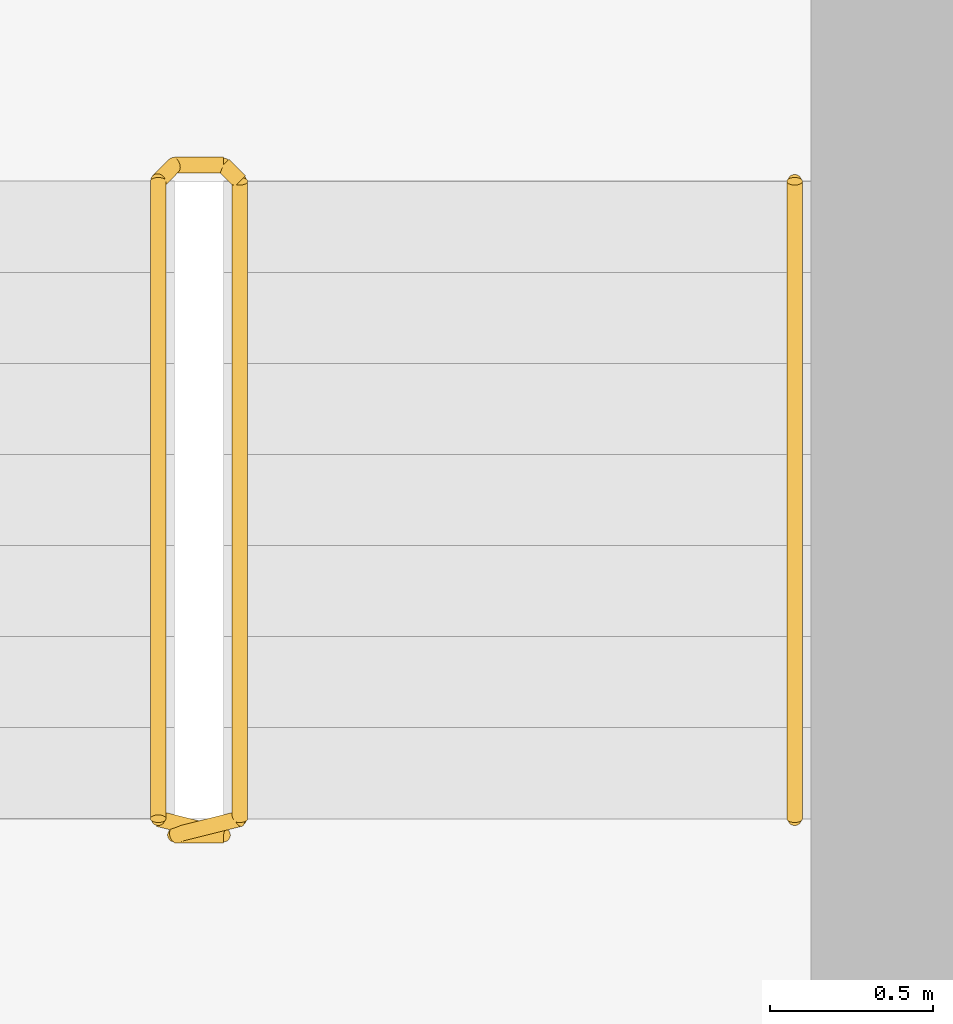
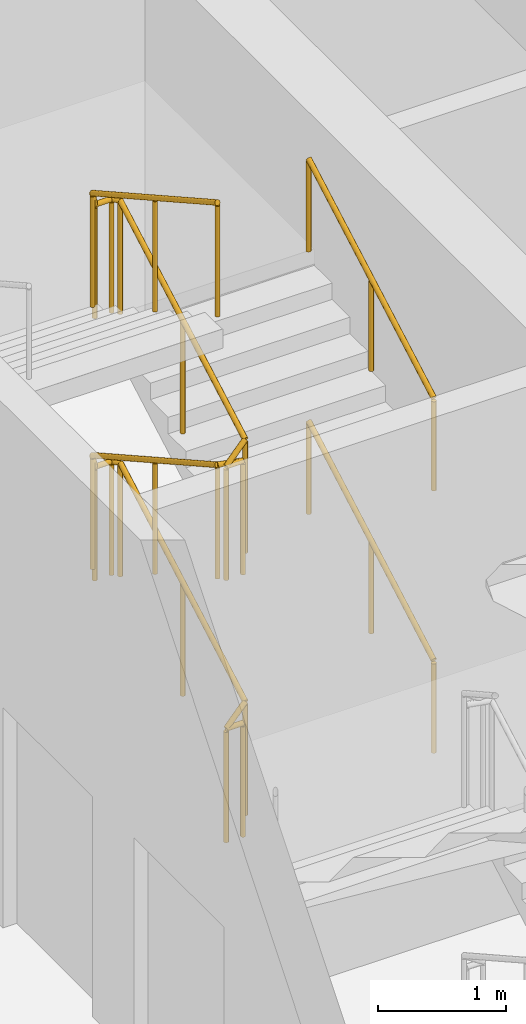
# One storey, part 20 of 20: 3 railings.
"""IFC4 building model written with IfcOpenShell, lengths in metres."""

import ifcopenshell
import ifcopenshell.guid

model = None  # the IFC model being written
_history = None  # IfcOwnerHistory: only IFC2X3 demands one
_inside = {}  # id of a spatial element -> (the spatial element, [elements in it])
_under = {}  # id of a project, library or spatial element -> (it, [spatial elements below it])
_declared = {}  # id of a project -> (the project, [libraries it declares])
_typed = {}  # id of a type object -> (the type object, [elements of that type])
_made_of = {}  # id of a material, layer set ... -> (it, [elements and type objects made of it])


def new_model(schema):
    """Start an empty IFC model of exactly this schema.

    Asked for "IFC4X3", IfcOpenShell would pick the latest addendum, in which some entities
    have other attributes; the version numbers below select the first issue.
    IFC2X3 requires an IfcOwnerHistory on every rooted entity: one is made here for all.
    """
    global model, _history
    if schema == "IFC4X3":
        model = ifcopenshell.file(schema_version=(4, 3, 0, 0))
    else:
        model = ifcopenshell.file(schema=schema)
    _inside.clear()
    _under.clear()
    _declared.clear()
    _typed.clear()
    _made_of.clear()
    _history = None
    if model.schema == "IFC2X3":
        org = make("IfcOrganization", Name="unknown")
        user = make(
            "IfcPersonAndOrganization",
            ThePerson=make("IfcPerson", FamilyName="unknown"),
            TheOrganization=org,
        )
        app = make(
            "IfcApplication",
            ApplicationDeveloper=org,
            Version="unknown",
            ApplicationFullName="unknown",
            ApplicationIdentifier="unknown",
        )
        _history = make(
            "IfcOwnerHistory",
            OwningUser=user,
            OwningApplication=app,
            ChangeAction="ADDED",
            CreationDate=0,
        )
    return model


def make(cls, **values):
    """One entity of the class cls with the attributes given. An attribute that is None is left unset."""
    return model.create_entity(
        cls, **{name: value for name, value in values.items() if value is not None}
    )


def rooted(cls, **values):
    """An entity with a GlobalId (a new one), such as an element, a storey or a relation."""
    return make(cls, GlobalId=ifcopenshell.guid.new(), OwnerHistory=_history, **values)


def si_unit(unit_type, name, prefix=None):
    """IfcSIUnit, for example si_unit("LENGTHUNIT", "METRE", prefix="MILLI")."""
    return make("IfcSIUnit", UnitType=unit_type, Prefix=prefix, Name=name)


def assignment(units):
    """IfcUnitAssignment: the units of a project."""
    return None if units is None else make("IfcUnitAssignment", Units=units)


def point(xyz):
    """IfcCartesianPoint."""
    return None if xyz is None else make("IfcCartesianPoint", Coordinates=xyz)


def direction(xyz):
    """IfcDirection."""
    return None if xyz is None else make("IfcDirection", DirectionRatios=xyz)


def frame(location, z_axis=None, x_axis=None):
    """IfcAxis2Placement3D, a coordinate frame: its origin and axes. An axis left out is left unset."""
    return make(
        "IfcAxis2Placement3D",
        Location=point(location),
        Axis=direction(z_axis),
        RefDirection=direction(x_axis),
    )


def frame_2d(location, x_axis=None):
    """IfcAxis2Placement2D, a coordinate frame in the plane: its origin and x axis."""
    return make(
        "IfcAxis2Placement2D", Location=point(location), RefDirection=direction(x_axis)
    )


def origin():
    """The frame at (0, 0, 0) with its axes left unset."""
    return frame((0.0, 0.0, 0.0))


def origin_2d():
    """The frame at (0, 0) in the plane with its x axis left unset."""
    return frame_2d((0.0, 0.0))


def place(relative_to, where):
    """IfcLocalPlacement: puts the frame where relative to a parent placement (None: the world)."""
    return make(
        "IfcLocalPlacement", PlacementRelTo=relative_to, RelativePlacement=where
    )


def context(
    kind, dimensions, precision=None, world=None, true_north=None, identifier=None
):
    """IfcGeometricRepresentationContext, for example the 3D "Model" context."""
    return make(
        "IfcGeometricRepresentationContext",
        ContextIdentifier=identifier,
        ContextType=kind,
        CoordinateSpaceDimension=dimensions,
        Precision=precision,
        WorldCoordinateSystem=world,
        TrueNorth=true_north,
    )


def subcontext(parent, identifier, kind, view, scale=None):
    """IfcGeometricRepresentationSubContext, for example "Body" below "Model"."""
    return make(
        "IfcGeometricRepresentationSubContext",
        ContextIdentifier=identifier,
        ContextType=kind,
        ParentContext=parent,
        TargetScale=scale,
        TargetView=view,
    )


def project(units=None, contexts=None):
    """IfcProject with its units and contexts."""
    return rooted(
        "IfcProject",
        Name="project",
        RepresentationContexts=contexts,
        UnitsInContext=assignment(units),
    )


def spatial(cls, under=None, at=None, **own):
    """A site, building, storey or space (cls), placed at a placement, below another one or the project."""
    s = rooted(cls, ObjectPlacement=at, **own)
    if under is not None:
        _under.setdefault(under.id(), (under, []))[1].append(s)
    return s


def profile(cls, at=None, kind="AREA", **sizes):
    """A parametric profile (cls). Its sizes go by their IFC names, for example OverallWidth=200.0."""
    return make(cls, ProfileType=kind, Position=at, **sizes)


def circle(**sizes):
    """IfcCircleProfileDef."""
    return profile("IfcCircleProfileDef", **sizes)


def extrude(swept, where, along, depth):
    """IfcExtrudedAreaSolid: the profile swept, set in the frame where, extruded along a direction by depth."""
    return make(
        "IfcExtrudedAreaSolid",
        SweptArea=swept,
        Position=where,
        ExtrudedDirection=direction(along),
        Depth=depth,
    )


def shape(context_of_items, identifier, shape_type, items):
    """IfcShapeRepresentation: the items that make up one representation, for example the "Body"."""
    return make(
        "IfcShapeRepresentation",
        ContextOfItems=context_of_items,
        RepresentationIdentifier=identifier,
        RepresentationType=shape_type,
        Items=items,
    )


def material(Name=None, Category=None):
    """IfcMaterial."""
    return make("IfcMaterial", Name=Name, Category=Category)


def made_of(thing, what):
    """Note that an element or type object is made of a material, layer set ...; save() writes the relation."""
    if what is not None:
        _made_of.setdefault(what.id(), (what, []))[1].append(thing)
    return thing


def type_object(cls, material=None, **own):
    """A type object (cls), such as IfcWallType, which elements share."""
    return made_of(rooted(cls, **own), material)


def element(
    cls,
    number,
    at=None,
    inside=None,
    cuts=None,
    type_object=None,
    material=None,
    context=None,
    identifier="Body",
    shape_type=None,
    held_by="IfcProductDefinitionShape",
    body=None,
    shapes=None,
    **own,
):
    """One element of the class cls, such as IfcWall. Its Tag is "e" and its number.

    at: its placement. inside: the storey or other place that contains it. cuts: it is an
    opening in that element (IfcRelVoidsElement). A single representation is given by context,
    identifier, shape_type and body (its items); several are given by shapes. held_by: the class
    of the entity that holds the representations. save() writes the other relations.
    """
    e = rooted(cls, Tag="e%d" % number, ObjectPlacement=at, **own)
    if body is not None:
        shapes = [shape(context, identifier, shape_type, body)]
    if shapes is not None:
        e.Representation = make(held_by, Representations=shapes)
    if inside is not None:
        _inside.setdefault(inside.id(), (inside, []))[1].append(e)
    if cuts is not None:
        rooted(
            "IfcRelVoidsElement", RelatingBuildingElement=cuts, RelatedOpeningElement=e
        )
    if type_object is not None:
        _typed.setdefault(type_object.id(), (type_object, []))[1].append(e)
    return made_of(e, material)


def aggregate(whole, parts):
    """IfcRelAggregates: a whole, such as a stair, and the parts it consists of."""
    return rooted("IfcRelAggregates", RelatingObject=whole, RelatedObjects=parts)


def save(model, path):
    """Write the relations noted so far, then the file.

    IfcRelAggregates (storeys below a building ...), IfcRelContainedInSpatialStructure (elements
    in a storey), IfcRelDefinesByType, IfcRelAssociatesMaterial and IfcRelDeclares: one each for
    every whole, place, type object, material and project.
    """
    for whole, parts in _under.values():
        aggregate(whole, parts)
    for where, things in _inside.values():
        rooted(
            "IfcRelContainedInSpatialStructure",
            RelatedElements=things,
            RelatingStructure=where,
        )
    for kind, things in _typed.values():
        rooted("IfcRelDefinesByType", RelatedObjects=things, RelatingType=kind)
    for what, things in _made_of.values():
        rooted("IfcRelAssociatesMaterial", RelatedObjects=things, RelatingMaterial=what)
    for by, libraries in _declared.values():
        rooted("IfcRelDeclares", RelatingContext=by, RelatedDefinitions=libraries)
    model.write(path)


model = new_model("IFC4")

# Units and contexts
model_context = context("Model", 3, precision=1e-05, world=origin(), true_north=direction((0.0, 1.0)))
body_context = subcontext(model_context, "Body", "Model", "MODEL_VIEW")
ifc_project = project(units=[si_unit("LENGTHUNIT", "METRE"), si_unit("AREAUNIT", "SQUARE_METRE"), si_unit("VOLUMEUNIT", "CUBIC_METRE"), si_unit("PLANEANGLEUNIT", "RADIAN"), si_unit("MASSUNIT", "GRAM", prefix="KILO")], contexts=[model_context])

# Site, building, storey
site_placement = place(None, origin())
site = spatial("IfcSite", under=ifc_project, at=site_placement, CompositionType="ELEMENT")
building_placement = place(site_placement, origin())
building = spatial("IfcBuilding", under=site, at=building_placement, Name="Calabash Gate Tower", CompositionType="ELEMENT")
storey_placement = place(building_placement, frame((0.0, 0.0, 139.60009765625)))
storey = spatial("IfcBuildingStorey", under=building, at=storey_placement, Name="L32", CompositionType="ELEMENT", Elevation=139.60009765625)

# Railings
ifc_material_1 = material(Name="Black powder-coated steel balusters", Category="steel")
railing_type_1 = type_object("IfcRailingType", Name="Stair guard RL1100", PredefinedType="GUARDRAIL", material=ifc_material_1)
railing_placement = place(storey_placement, frame((10.300048828125, 13.902587890625, 0.0)))
element("IfcRailing", 1, at=railing_placement, inside=storey, type_object=railing_type_1, Name="L32 ST3 stair guard 1", PredefinedType="GUARDRAIL", context=body_context, shape_type="SweptSolid", body=[
    extrude(circle(Radius=0.02392578125, at=origin_2d()), frame((0.0, 0.0, 1.076171875), z_axis=(-1.0, 0.0, 0.0), x_axis=(0.0, -1.0, 0.0)), (0.0, 0.0, 1.0), 0.150146484375),
    extrude(circle(Radius=0.02392578125, at=origin_2d()), frame((-0.150146484375, 0.0, 1.076171875), z_axis=(0.773438643492, 0.193359660873, 0.603659429067), x_axis=(-0.242535625036, 0.970142500145, 0.0)), (0.0, 0.0, 1.0), 0.2587890625),
    extrude(circle(Radius=0.02392578125, at=origin_2d()), frame((0.050048828125, 0.050048828125, 1.232421875), z_axis=(0.0, 0.872479975208, 0.48864986735), x_axis=(-1.0, 0.0, 0.0)), (0.0, 0.0, 1.0), 2.23828125),
    extrude(circle(Radius=0.02392578125, at=origin_2d()), frame((0.050048828125, 2.0029296875, 2.326171875), z_axis=(-0.707106781187, 0.707106781187, 0.0), x_axis=(-0.707106781187, -0.707106781187, 0.0)), (0.0, 0.0, 1.0), 0.07080078125),
    extrude(circle(Radius=0.02392578125, at=origin_2d()), frame((0.0, 2.052978515625, 2.326171875), z_axis=(-1.0, 0.0, 0.0), x_axis=(0.0, -1.0, 0.0)), (0.0, 0.0, 1.0), 0.150146484375),
    extrude(circle(Radius=0.02392578125, at=origin_2d()), frame((-0.150146484375, 2.052978515625, 2.326171875), z_axis=(-0.290469530425, -0.291893400672, 0.911276958196), x_axis=(0.708833529934, -0.705375805398, 0.0)), (0.0, 0.0, 1.0), 0.17138671875),
    extrude(circle(Radius=0.02392578125, at=origin_2d()), frame((-0.199951171875, 2.0029296875, 2.482421875), z_axis=(0.0, -0.872479975208, 0.48864986735), x_axis=(1.0, 0.0, 0.0)), (0.0, 0.0, 1.0), 2.23828125),
    extrude(circle(Radius=0.02392578125, at=origin_2d()), frame((-0.199951171875, 0.050048828125, 3.576171875), z_axis=(0.970072785993, -0.242814311512, 0.0), x_axis=(0.242814311512, 0.970072785993, 0.0)), (0.0, 0.0, 1.0), 0.2060546875),
    extrude(circle(Radius=0.02392578125, at=origin_2d()), frame((0.0, 0.0, 3.576171875), z_axis=(-1.0, 0.0, 0.0), x_axis=(0.0, -1.0, 0.0)), (0.0, 0.0, 1.0), 0.150146484375),
    extrude(circle(Radius=0.02392578125, at=origin_2d()), frame((-0.150146484375, 0.0, 3.576171875), z_axis=(0.773438643492, 0.193359660873, 0.603659429067), x_axis=(-0.242535625036, 0.970142500145, 0.0)), (0.0, 0.0, 1.0), 0.2587890625),
    extrude(circle(Radius=0.02392578125, at=origin_2d()), frame((0.050048828125, 0.050048828125, 3.732421875), z_axis=(0.0, 0.872479975208, 0.48864986735), x_axis=(-1.0, 0.0, 0.0)), (0.0, 0.0, 1.0), 2.23828125),
    extrude(circle(Radius=0.02392578125, at=origin_2d()), frame((0.050048828125, 2.0029296875, 4.826171875), z_axis=(-0.707106781187, 0.707106781187, 0.0), x_axis=(-0.707106781187, -0.707106781187, 0.0)), (0.0, 0.0, 1.0), 0.07080078125),
    extrude(circle(Radius=0.02392578125, at=origin_2d()), frame((0.0, 2.052978515625, 4.826171875), z_axis=(-1.0, 0.0, 0.0), x_axis=(0.0, -1.0, 0.0)), (0.0, 0.0, 1.0), 0.150146484375),
    extrude(circle(Radius=0.02392578125, at=origin_2d()), frame((-0.150146484375, 2.052978515625, 4.826171875), z_axis=(-0.290469530425, -0.291893400672, 0.911276958196), x_axis=(0.708833529934, -0.705375805398, 0.0)), (0.0, 0.0, 1.0), 0.17138671875),
    extrude(circle(Radius=0.02392578125, at=origin_2d()), frame((-0.199951171875, 2.0029296875, 4.982421875), z_axis=(0.0, -0.872479975208, 0.48864986735), x_axis=(1.0, 0.0, 0.0)), (0.0, 0.0, 1.0), 2.23828125),
    extrude(circle(Radius=0.02099609375, at=origin_2d()), origin(), (0.0, 0.0, 1.0), 1.052001953125),
    extrude(circle(Radius=0.02099609375, at=origin_2d()), frame((-0.150146484375, 0.0, 0.0)), (0.0, 0.0, 1.0), 1.052001953125),
    extrude(circle(Radius=0.02099609375, at=origin_2d()), frame((0.050048828125, 0.050048828125, 0.15625)), (0.0, 0.0, 1.0), 1.052001953125),
    extrude(circle(Radius=0.02099609375, at=origin_2d()), frame((0.050048828125, 1.0263671875, 0.703125)), (0.0, 0.0, 1.0), 1.052001953125),
    extrude(circle(Radius=0.02099609375, at=origin_2d()), frame((0.050048828125, 2.0029296875, 1.25)), (0.0, 0.0, 1.0), 1.052001953125),
    extrude(circle(Radius=0.02099609375, at=origin_2d()), frame((0.0, 2.052978515625, 1.25)), (0.0, 0.0, 1.0), 1.052001953125),
    extrude(circle(Radius=0.02099609375, at=origin_2d()), frame((-0.150146484375, 2.052978515625, 1.25)), (0.0, 0.0, 1.0), 1.052001953125),
    extrude(circle(Radius=0.02099609375, at=origin_2d()), frame((-0.199951171875, 2.0029296875, 1.40625)), (0.0, 0.0, 1.0), 1.052001953125),
    extrude(circle(Radius=0.02099609375, at=origin_2d()), frame((-0.199951171875, 1.0263671875, 1.953125)), (0.0, 0.0, 1.0), 1.052001953125),
    extrude(circle(Radius=0.02099609375, at=origin_2d()), frame((-0.199951171875, 0.050048828125, 2.5)), (0.0, 0.0, 1.0), 1.052001953125),
    extrude(circle(Radius=0.02099609375, at=origin_2d()), frame((0.0, 0.0, 2.5)), (0.0, 0.0, 1.0), 1.052001953125),
    extrude(circle(Radius=0.02099609375, at=origin_2d()), frame((-0.150146484375, 0.0, 2.5)), (0.0, 0.0, 1.0), 1.052001953125),
    extrude(circle(Radius=0.02099609375, at=origin_2d()), frame((0.050048828125, 0.050048828125, 2.65625)), (0.0, 0.0, 1.0), 1.052001953125),
    extrude(circle(Radius=0.02099609375, at=origin_2d()), frame((0.050048828125, 1.0263671875, 3.203125)), (0.0, 0.0, 1.0), 1.052001953125),
    extrude(circle(Radius=0.02099609375, at=origin_2d()), frame((0.050048828125, 2.0029296875, 3.75)), (0.0, 0.0, 1.0), 1.052001953125),
    extrude(circle(Radius=0.02099609375, at=origin_2d()), frame((0.0, 2.052978515625, 3.75)), (0.0, 0.0, 1.0), 1.052001953125),
    extrude(circle(Radius=0.02099609375, at=origin_2d()), frame((-0.150146484375, 2.052978515625, 3.75)), (0.0, 0.0, 1.0), 1.052001953125),
    extrude(circle(Radius=0.02099609375, at=origin_2d()), frame((-0.199951171875, 2.0029296875, 3.90625)), (0.0, 0.0, 1.0), 1.052001953125),
    extrude(circle(Radius=0.02099609375, at=origin_2d()), frame((-0.199951171875, 1.0263671875, 4.453125)), (0.0, 0.0, 1.0), 1.052001953125),
    extrude(circle(Radius=0.02099609375, at=origin_2d()), frame((-0.199951171875, 0.050048828125, 5.0)), (0.0, 0.0, 1.0), 1.052001953125),
])
ifc_material_2 = material(Name="Black powder-coated steel tube 48 mm", Category="steel")
railing_type_2 = type_object("IfcRailingType", Name="Stair handrail RL900", PredefinedType="HANDRAIL", material=ifc_material_2)
for number, where, name in (
    (2, (12.050048828125, 13.95263671875, 0.15625), "L32 ST3 stair handrail 1"),
    (3, (12.050048828125, 13.95263671875, 2.65625), "L32 ST3 stair handrail 3"),
):
    element("IfcRailing", number, at=place(storey_placement, frame(where)), inside=storey, type_object=railing_type_2, Name=name, PredefinedType="HANDRAIL", context=body_context, shape_type="SweptSolid", body=[
        extrude(circle(Radius=0.02392578125, at=origin_2d()), frame((0.0, 0.0, 0.8759765625), z_axis=(0.0, 0.872479975208, 0.48864986735), x_axis=(-1.0, 0.0, 0.0)), (0.0, 0.0, 1.0), 2.23828125),
        extrude(circle(Radius=0.02099609375, at=origin_2d()), origin(), (0.0, 0.0, 1.0), 0.851806640625),
        extrude(circle(Radius=0.02099609375, at=origin_2d()), frame((0.0, 0.9765625, 0.546875)), (0.0, 0.0, 1.0), 0.851806640625),
        extrude(circle(Radius=0.02099609375, at=origin_2d()), frame((0.0, 1.952880859375, 1.09375)), (0.0, 0.0, 1.0), 0.851806640625),
    ])

save(model, "model.ifc")
